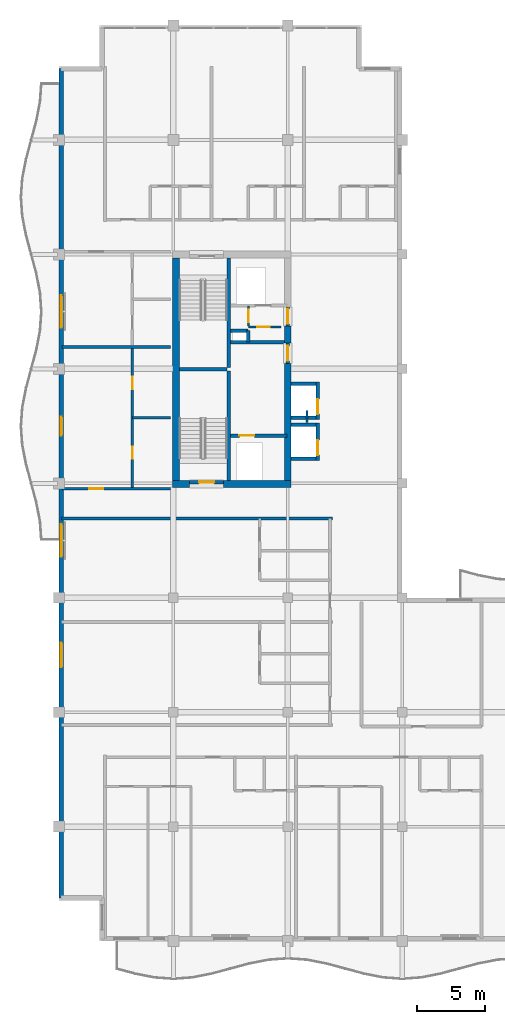
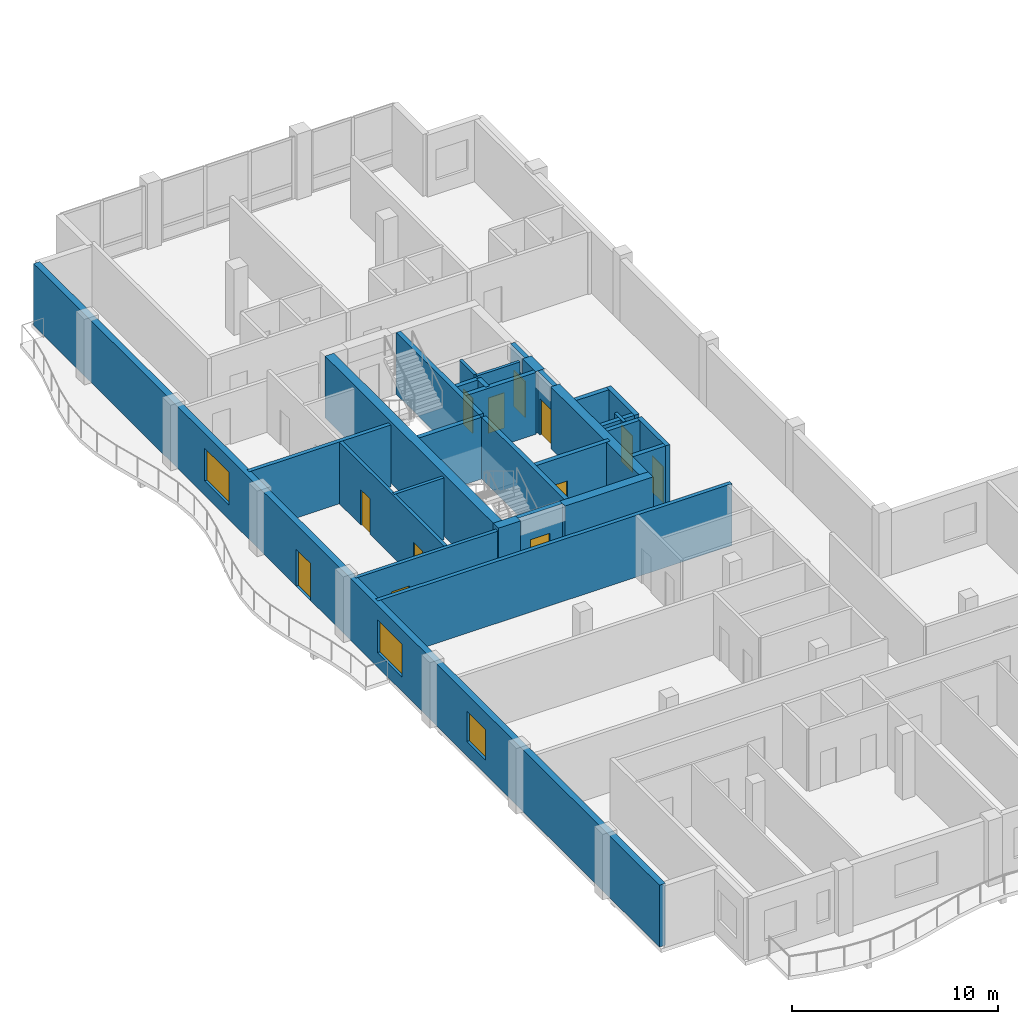
# One storey, part 10 of 17: 30 walls, 12 doors, 3 windows, 15 openings.
"""IFC4 building model written with IfcOpenShell, lengths in metres."""

from ifc_helpers import new_model, si_unit, direction, frame, frame_2d, origin, place, context, subcontext, project, spatial, rectangle, extrude, material, layer, layer_set, type_object, element, fill, save


model = new_model("IFC4")

# Units and contexts
model_context = context("Model", 3, precision=1e-05, world=origin(), true_north=direction((0.0, 1.0)))
body_context = subcontext(model_context, "Body", "Model", "MODEL_VIEW")
ifc_project = project(units=[si_unit("LENGTHUNIT", "METRE"), si_unit("AREAUNIT", "SQUARE_METRE"), si_unit("VOLUMEUNIT", "CUBIC_METRE"), si_unit("PLANEANGLEUNIT", "RADIAN"), si_unit("MASSUNIT", "GRAM", prefix="KILO")], contexts=[model_context])

# Site, building, storey
site_placement = place(None, origin())
site = spatial("IfcSite", under=ifc_project, at=site_placement, CompositionType="ELEMENT")
building_placement = place(site_placement, origin())
building = spatial("IfcBuilding", under=site, at=building_placement, Name="Koriwani Terraces Tower", CompositionType="ELEMENT")
storey_placement = place(building_placement, frame((0.0, 0.0, 332.0)))
storey = spatial("IfcBuildingStorey", under=building, at=storey_placement, Name="L82", CompositionType="ELEMENT", Elevation=332.0)

# Walls
ifc_material_1 = material(Name="Concrete C50/60", Category="concrete")
ifc_layer_1 = layer(ifc_material_1, 0.5, Name="Concrete C50/60")
ifc_layer_set_1 = layer_set([ifc_layer_1], Name="Concrete C50/60")
wall_type_1 = type_object("IfcWallType", Name="WALL_CORE_RC_500", PredefinedType="SHEAR", material=ifc_layer_set_1)
wall_1_placement = place(storey_placement, frame((16.75, 41.949951171875, 0.0), z_axis=(0.0, 0.0, 1.0), x_axis=(1.0, 0.0, 0.0)))
element("IfcWall", 1, at=wall_1_placement, inside=storey, type_object=wall_type_1, Name="L82 West Split Core Shear Wall S1", PredefinedType="SHEAR", context=body_context, shape_type="SweptSolid", body=[
    extrude(rectangle(XDim=1.25, YDim=0.5, at=frame_2d((0.625, 0.0))), origin(), (0.0, 0.0, 1.0), 3.669921875),
])
wall_2_placement = place(storey_placement, frame((20.5, 41.949951171875, 0.0), z_axis=(0.0, 0.0, 1.0), x_axis=(1.0, 0.0, 0.0)))
element("IfcWall", 2, at=wall_2_placement, inside=storey, type_object=wall_type_1, Name="L82 West Split Core Shear Wall S2", PredefinedType="SHEAR", context=body_context, shape_type="SweptSolid", body=[
    extrude(rectangle(XDim=4.949951171875, YDim=0.5, at=frame_2d((2.47509765625, 0.0))), origin(), (0.0, 0.0, 1.0), 3.669921875),
])
wall_3_placement = place(storey_placement, frame((17.0, 42.199951171875, 0.0), z_axis=(0.0, 0.0, 1.0), x_axis=(0.0, 1.0, 0.0)))
element("IfcWall", 3, at=wall_3_placement, inside=storey, type_object=wall_type_1, Name="L82 West Split Core Shear Wall W1", PredefinedType="SHEAR", context=body_context, shape_type="SweptSolid", body=[
    extrude(rectangle(XDim=16.35009765625, YDim=0.5, at=frame_2d((8.175048828125, 0.0))), origin(), (0.0, 0.0, 1.0), 3.669921875),
])
wall_4_placement = place(storey_placement, frame((25.199951171875, 42.199951171875, 0.0), z_axis=(0.0, 0.0, 1.0), x_axis=(0.0, 1.0, 0.0)))
element("IfcWall", 4, at=wall_4_placement, inside=storey, type_object=wall_type_1, Name="L82 West Split Core Shear Wall E1", PredefinedType="SHEAR", context=body_context, shape_type="SweptSolid", body=[
    extrude(rectangle(XDim=8.60009765625, YDim=0.5, at=frame_2d((4.300048828125, 0.0))), origin(), (0.0, 0.0, 1.0), 3.669921875),
])
wall_5_placement = place(storey_placement, frame((25.199951171875, 52.280029296875, 0.0), z_axis=(0.0, 0.0, 1.0), x_axis=(0.0, 1.0, 0.0)))
element("IfcWall", 5, at=wall_5_placement, inside=storey, type_object=wall_type_1, Name="L82 West Split Core Shear Wall E2", PredefinedType="SHEAR", context=body_context, shape_type="SweptSolid", body=[
    extrude(rectangle(XDim=1.27001953125, YDim=0.5, at=frame_2d((0.635009765625, 0.0))), origin(), (0.0, 0.0, 1.0), 3.669921875),
])

# Wall, opening, door
ifc_material_2 = material(Name="Autoclaved Cellular Concrete Blockwork", Category="masonry")
ifc_layer_2 = layer(ifc_material_2, 0.199951171875, Name="Autoclaved Cellular Concrete Blockwork")
ifc_layer_set_2 = layer_set([ifc_layer_2], Name="Autoclaved Cellular Concrete Blockwork")
wall_type_2 = type_object("IfcWallType", Name="WALL_CORRIDOR_200", PredefinedType="PARTITIONING", material=ifc_layer_set_2)
wall_6_placement = place(storey_placement, frame((8.64990234375, 41.60009765625, 0.0), z_axis=(0.0, 0.0, 1.0), x_axis=(1.0, 0.0, 0.0)))
wall_6 = element("IfcWall", 6, at=wall_6_placement, inside=storey, type_object=wall_type_2, Name="L82 Interior Wall WRZ4-WS-L82", PredefinedType="PARTITIONING", context=body_context, shape_type="SweptSolid", body=[
    extrude(rectangle(XDim=7.9501953125, YDim=0.199951171875, at=frame_2d((3.97509765625, 0.0))), origin(), (0.0, 0.0, 1.0), 3.669921875),
])
opening_1_placement = place(wall_6_placement, frame((2.0, 0.0, 0.0)))
opening_1 = element("IfcOpeningElement", 7, at=opening_1_placement, cuts=wall_6, Name="Opening D-05", PredefinedType="OPENING", context=body_context, shape_type="SweptSolid", body=[
    extrude(rectangle(XDim=1.0, YDim=2.14990234375, at=frame_2d((0.5, 1.074951171875))), frame((0.0, 0.10986328125, 0.0), z_axis=(0.0, -1.0, 0.0), x_axis=(1.0, 0.0, 0.0)), (0.0, 0.0, 1.0), 0.219970703125),
])
ifc_material_3 = material(Name="Architectural Oak Fire Door", Category="wood")
door_type_1 = type_object("IfcDoorType", Name="DOOR_SUITE_ENTRY_1000X2150", OperationType="NOTDEFINED", PredefinedType="DOOR", material=ifc_material_3)
door_1_placement = place(opening_1_placement, origin())
door_1 = element("IfcDoor", 8, at=door_1_placement, inside=storey, type_object=door_type_1, Name="Apartment 82RW1 Entrance Door", OperationType="SINGLE_SWING_LEFT", OverallHeight=2.14990234375, OverallWidth=1.0, PredefinedType="DOOR", context=body_context, shape_type="SweptSolid", body=[
    extrude(rectangle(XDim=1.0, YDim=2.14990234375, at=frame_2d((0.5, 1.074951171875))), frame((0.0, 0.02490234375, 0.0), z_axis=(0.0, -1.0, 0.0), x_axis=(1.0, 0.0, 0.0)), (0.0, 0.0, 1.0), 0.050048828125),
])
fill(opening_1, door_1)

# Walls
ifc_layer_3 = layer(ifc_material_2, 0.219970703125, Name="Autoclaved Cellular Concrete Blockwork")
ifc_layer_set_3 = layer_set([ifc_layer_3], Name="Autoclaved Cellular Concrete Blockwork")
wall_type_3 = type_object("IfcWallType", Name="WALL_DEMISING_220", PredefinedType="PARTITIONING", material=ifc_layer_set_3)
wall_7_placement = place(storey_placement, frame((8.64990234375, 52.0, 0.0), z_axis=(0.0, 0.0, 1.0), x_axis=(1.0, 0.0, 0.0)))
element("IfcWall", 9, at=wall_7_placement, inside=storey, type_object=wall_type_3, Name="L82 Interior Wall WRZ4-WM-L82", PredefinedType="PARTITIONING", context=body_context, shape_type="SweptSolid", body=[
    extrude(rectangle(XDim=7.9501953125, YDim=0.219970703125, at=frame_2d((3.97509765625, 0.0))), origin(), (0.0, 0.0, 1.0), 3.669921875),
])
wall_8_placement = place(storey_placement, frame((8.60009765625, 39.39990234375, 0.0), z_axis=(0.0, 0.0, 1.0), x_axis=(1.0, 0.0, 0.0)))
element("IfcWall", 10, at=wall_8_placement, inside=storey, type_object=wall_type_3, Name="L82 Interior Wall WRDEME-L82-NE", PredefinedType="PARTITIONING", context=body_context, shape_type="SweptSolid", body=[
    extrude(rectangle(XDim=19.8798828125, YDim=0.219970703125, at=frame_2d((9.93994140625, 0.0))), origin(), (0.0, 0.0, 1.0), 3.669921875),
])

# Wall, openings, door, windows
ifc_layer_4 = layer(ifc_material_1, 0.35009765625, Name="Concrete C50/60")
ifc_layer_set_4 = layer_set([ifc_layer_4], Name="Concrete C50/60")
wall_type_4 = type_object("IfcWallType", Name="WALL_EXT_BRUTALIST_350", PredefinedType="STANDARD", material=ifc_layer_set_4)
wall_9_placement = place(storey_placement, frame((8.574951171875, 11.574951171875, 0.0), z_axis=(0.0, 0.0, 1.0), x_axis=(0.0, 1.0, 0.0)))
wall_9 = element("IfcWall", 11, at=wall_9_placement, inside=storey, type_object=wall_type_4, Name="L82 Fair-Faced Brutalist Exterior Wall (W)", PredefinedType="STANDARD", context=body_context, shape_type="SweptSolid", body=[
    extrude(rectangle(XDim=60.85009765625, YDim=0.35009765625, at=frame_2d((30.425048828125, 0.0))), origin(), (0.0, 0.0, 1.0), 3.669921875),
])
opening_2_placement = place(wall_9_placement, frame((33.925048828125, 0.0, 0.0)))
opening_2 = element("IfcOpeningElement", 12, at=opening_2_placement, cuts=wall_9, Name="Opening D-09", PredefinedType="OPENING", context=body_context, shape_type="SweptSolid", body=[
    extrude(rectangle(XDim=1.39990234375, YDim=2.199951171875, at=frame_2d((0.699951171875, 1.10009765625))), frame((0.0, 0.18505859375, 0.0), z_axis=(0.0, -1.0, 0.0), x_axis=(1.0, 0.0, 0.0)), (0.0, 0.0, 1.0), 0.3701171875),
])
opening_3_placement = place(wall_9_placement, frame((16.925048828125, 0.0, 0.85009765625)))
opening_3 = element("IfcOpeningElement", 13, at=opening_3_placement, cuts=wall_9, Name="Opening W-04", PredefinedType="OPENING", context=body_context, shape_type="SweptSolid", body=[
    extrude(rectangle(XDim=1.800048828125, YDim=1.800048828125, at=frame_2d((0.89990234375, 0.89990234375))), frame((0.0, 0.18505859375, 0.0), z_axis=(0.0, -1.0, 0.0), x_axis=(1.0, 0.0, 0.0)), (0.0, 0.0, 1.0), 0.3701171875),
])
opening_4_placement = place(wall_9_placement, frame((25.02490234375, 0.0, 0.85009765625)))
opening_4 = element("IfcOpeningElement", 14, at=opening_4_placement, cuts=wall_9, Name="Opening W-03", PredefinedType="OPENING", context=body_context, shape_type="SweptSolid", body=[
    extrude(rectangle(XDim=2.39990234375, YDim=1.949951171875, at=frame_2d((1.199951171875, 0.97509765625))), frame((0.0, 0.18505859375, 0.0), z_axis=(0.0, -1.0, 0.0), x_axis=(1.0, 0.0, 0.0)), (0.0, 0.0, 1.0), 0.3701171875),
])
opening_5_placement = place(wall_9_placement, frame((41.824951171875, 0.0, 0.85009765625)))
opening_5 = element("IfcOpeningElement", 15, at=opening_5_placement, cuts=wall_9, Name="Opening W-03", PredefinedType="OPENING", context=body_context, shape_type="SweptSolid", body=[
    extrude(rectangle(XDim=2.39990234375, YDim=1.949951171875, at=frame_2d((1.199951171875, 0.97509765625))), frame((0.0, 0.18505859375, 0.0), z_axis=(0.0, -1.0, 0.0), x_axis=(1.0, 0.0, 0.0)), (0.0, 0.0, 1.0), 0.3701171875),
])
ifc_material_4 = material(Name="Anodised Bronze Aluminium", Category="aluminium")
door_type_2 = type_object("IfcDoorType", Name="DOOR_BALCONY_GLAZED_1400X2200", OperationType="NOTDEFINED", PredefinedType="DOOR", material=ifc_material_4)
door_2_placement = place(opening_2_placement, origin())
door_2 = element("IfcDoor", 16, at=door_2_placement, inside=storey, type_object=door_type_2, Name="L82 West Balcony Glazed Door", OperationType="SINGLE_SWING_LEFT", OverallHeight=2.199951171875, OverallWidth=1.39990234375, PredefinedType="DOOR", context=body_context, shape_type="SweptSolid", body=[
    extrude(rectangle(XDim=1.39990234375, YDim=2.199951171875, at=frame_2d((0.699951171875, 1.10009765625))), frame((0.0, 0.02490234375, 0.0), z_axis=(0.0, -1.0, 0.0), x_axis=(1.0, 0.0, 0.0)), (0.0, 0.0, 1.0), 0.050048828125),
])
fill(opening_2, door_2)
ifc_material_5 = material(Name="Tempered Laminated Low-E Glass", Category="glass")
window_type_1 = type_object("IfcWindowType", Name="WIN_RES_BED_1800X1800", PartitioningType="DOUBLE_PANEL_VERTICAL", PredefinedType="WINDOW", material=ifc_material_5)
window_1_placement = place(opening_3_placement, origin())
window_1 = element("IfcWindow", 17, at=window_1_placement, inside=storey, type_object=window_type_1, Name="L82 Exterior Window (W-6)", OverallHeight=1.800048828125, OverallWidth=1.800048828125, PartitioningType="SINGLE_PANEL", PredefinedType="WINDOW", context=body_context, shape_type="SweptSolid", body=[
    extrude(rectangle(XDim=1.800048828125, YDim=1.800048828125, at=frame_2d((0.89990234375, 0.89990234375))), frame((0.0, 0.030029296875, 0.0), z_axis=(0.0, -1.0, 0.0), x_axis=(1.0, 0.0, 0.0)), (0.0, 0.0, 1.0), 0.06005859375),
])
fill(opening_3, window_1)
window_type_2 = type_object("IfcWindowType", Name="WIN_RES_LIVING_2400X1950", PartitioningType="DOUBLE_PANEL_VERTICAL", PredefinedType="WINDOW", material=ifc_material_5)
window_2_placement = place(opening_4_placement, origin())
window_2 = element("IfcWindow", 18, at=window_2_placement, inside=storey, type_object=window_type_2, Name="L82 Exterior Window (W-9)", OverallHeight=1.949951171875, OverallWidth=2.39990234375, PartitioningType="SINGLE_PANEL", PredefinedType="WINDOW", context=body_context, shape_type="SweptSolid", body=[
    extrude(rectangle(XDim=2.39990234375, YDim=1.949951171875, at=frame_2d((1.199951171875, 0.97509765625))), frame((0.0, 0.030029296875, 0.0), z_axis=(0.0, -1.0, 0.0), x_axis=(1.0, 0.0, 0.0)), (0.0, 0.0, 1.0), 0.06005859375),
])
fill(opening_4, window_2)
window_3_placement = place(opening_5_placement, origin())
window_3 = element("IfcWindow", 19, at=window_3_placement, inside=storey, type_object=window_type_2, Name="L82 Exterior Window (W-15)", OverallHeight=1.949951171875, OverallWidth=2.39990234375, PartitioningType="SINGLE_PANEL", PredefinedType="WINDOW", context=body_context, shape_type="SweptSolid", body=[
    extrude(rectangle(XDim=2.39990234375, YDim=1.949951171875, at=frame_2d((1.199951171875, 0.97509765625))), frame((0.0, 0.030029296875, 0.0), z_axis=(0.0, -1.0, 0.0), x_axis=(1.0, 0.0, 0.0)), (0.0, 0.0, 1.0), 0.06005859375),
])
fill(opening_5, window_3)

# Wall, openings, doors
ifc_material_6 = material(Name="Fire-Rated Acoustic Gypsum Partition", Category="masonry")
ifc_layer_5 = layer(ifc_material_6, 0.179931640625, Name="Fire-Rated Acoustic Gypsum Partition")
ifc_layer_set_5 = layer_set([ifc_layer_5], Name="Fire-Rated Acoustic Gypsum Partition")
wall_type_5 = type_object("IfcWallType", Name="WALL_PLUMBING_180", PredefinedType="PLUMBINGWALL", material=ifc_layer_set_5)
wall_10_placement = place(storey_placement, frame((13.800048828125, 41.699951171875, 0.0), z_axis=(0.0, 0.0, 1.0), x_axis=(0.0, 1.0, 0.0)))
wall_10 = element("IfcWall", 20, at=wall_10_placement, inside=storey, type_object=wall_type_5, Name="L82 Interior Wall WRZ4-RW1-PB-L82", PredefinedType="PLUMBINGWALL", context=body_context, shape_type="SweptSolid", body=[
    extrude(rectangle(XDim=10.199951171875, YDim=0.179931640625, at=frame_2d((5.10009765625, 0.0))), origin(), (0.0, 0.0, 1.0), 3.669921875),
])
opening_6_placement = place(wall_10_placement, frame((2.10009765625, 0.0, 0.0)))
opening_6 = element("IfcOpeningElement", 21, at=opening_6_placement, cuts=wall_10, Name="Opening D-07", PredefinedType="OPENING", context=body_context, shape_type="SweptSolid", body=[
    extrude(rectangle(XDim=0.89990234375, YDim=2.10009765625, at=frame_2d((0.449951171875, 1.050048828125))), frame((0.0, 0.10009765625, 0.0), z_axis=(0.0, -1.0, 0.0), x_axis=(1.0, 0.0, 0.0)), (0.0, 0.0, 1.0), 0.199951171875),
])
opening_7_placement = place(wall_10_placement, frame((7.18994140625, 0.0, 0.0)))
opening_7 = element("IfcOpeningElement", 22, at=opening_7_placement, cuts=wall_10, Name="Opening D-06", PredefinedType="OPENING", context=body_context, shape_type="SweptSolid", body=[
    extrude(rectangle(XDim=0.919921875, YDim=2.10009765625, at=frame_2d((0.4599609375, 1.050048828125))), frame((0.0, 0.10009765625, 0.0), z_axis=(0.0, -1.0, 0.0), x_axis=(1.0, 0.0, 0.0)), (0.0, 0.0, 1.0), 0.199951171875),
])
door_type_3 = type_object("IfcDoorType", Name="DOOR_BATH_INT_900X2100", OperationType="NOTDEFINED", PredefinedType="DOOR", material=ifc_material_3)
door_3_placement = place(opening_6_placement, origin())
door_3 = element("IfcDoor", 23, at=door_3_placement, inside=storey, type_object=door_type_3, Name="Apartment 82RW1 Bathroom Door", OperationType="SINGLE_SWING_LEFT", OverallHeight=2.10009765625, OverallWidth=0.89990234375, PredefinedType="DOOR", context=body_context, shape_type="SweptSolid", body=[
    extrude(rectangle(XDim=0.89990234375, YDim=2.10009765625, at=frame_2d((0.449951171875, 1.050048828125))), frame((0.0, 0.02490234375, 0.0), z_axis=(0.0, -1.0, 0.0), x_axis=(1.0, 0.0, 0.0)), (0.0, 0.0, 1.0), 0.050048828125),
])
fill(opening_6, door_3)
door_type_4 = type_object("IfcDoorType", Name="DOOR_ROOM_INT_920X2100", OperationType="NOTDEFINED", PredefinedType="DOOR", material=ifc_material_3)
door_4_placement = place(opening_7_placement, origin())
door_4 = element("IfcDoor", 24, at=door_4_placement, inside=storey, type_object=door_type_4, Name="Apartment 82RW1 Kitchen Door", OperationType="SINGLE_SWING_RIGHT", OverallHeight=2.10009765625, OverallWidth=0.919921875, PredefinedType="DOOR", context=body_context, shape_type="SweptSolid", body=[
    extrude(rectangle(XDim=0.919921875, YDim=2.10009765625, at=frame_2d((0.4599609375, 1.050048828125))), frame((0.0, 0.02490234375, 0.0), z_axis=(0.0, -1.0, 0.0), x_axis=(1.0, 0.0, 0.0)), (0.0, 0.0, 1.0), 0.050048828125),
])
fill(opening_7, door_4)

# Walls
wall_11_placement = place(storey_placement, frame((13.800048828125, 46.800048828125, 0.0), z_axis=(0.0, 0.0, 1.0), x_axis=(1.0, 0.0, 0.0)))
element("IfcWall", 25, at=wall_11_placement, inside=storey, type_object=wall_type_5, Name="L82 Interior Wall WRZ4-RW1-P2-L82", PredefinedType="PLUMBINGWALL", context=body_context, shape_type="SweptSolid", body=[
    extrude(rectangle(XDim=2.800048828125, YDim=0.179931640625, at=frame_2d((1.39990234375, 0.0))), origin(), (0.0, 0.0, 1.0), 3.669921875),
])
ifc_material_7 = material(Name="Concrete C40/50", Category="concrete")
ifc_layer_6 = layer(ifc_material_7, 0.25, Name="Concrete C40/50")
ifc_layer_set_6 = layer_set([ifc_layer_6], Name="Concrete C40/50")
wall_type_6 = type_object("IfcWallType", Name="WALL_SHAFT_RATED_250", PredefinedType="SOLIDWALL", material=ifc_layer_set_6)
for number, where, z_axis, x_axis, name in (
    (26, (20.875, 42.199951171875, 0.0), (0.0, 0.0, 1.0), (0.0, 1.0, 0.0), "L82 West Split Core Web Wall MID1"),
    (27, (20.875, 50.5, 0.0), (0.0, 0.0, 1.0), (0.0, 1.0, 0.0), "L82 West Split Core Web Wall MID2"),
):
    element("IfcWall", number, at=place(storey_placement, frame(where, z_axis=z_axis, x_axis=x_axis)), inside=storey, type_object=wall_type_6, Name=name, PredefinedType="SOLIDWALL", context=body_context, shape_type="SweptSolid", body=[
        extrude(rectangle(XDim=8.050048828125, YDim=0.25, at=frame_2d((4.02490234375, 0.0))), origin(), (0.0, 0.0, 1.0), 3.669921875),
    ])
wall_12_placement = place(storey_placement, frame((17.25, 50.375, 0.0), z_axis=(0.0, 0.0, 1.0), x_axis=(1.0, 0.0, 0.0)))
element("IfcWall", 28, at=wall_12_placement, inside=storey, type_object=wall_type_6, Name="L82 West Split Core Stair Dividing Wall", PredefinedType="SOLIDWALL", context=body_context, shape_type="SweptSolid", body=[
    extrude(rectangle(XDim=3.5, YDim=0.25, at=frame_2d((1.75, 0.0))), origin(), (0.0, 0.0, 1.0), 3.669921875),
])

# Wall, opening, door
wall_13_placement = place(storey_placement, frame((18.0, 42.074951171875, 0.0), z_axis=(0.0, 0.0, 1.0), x_axis=(1.0, 0.0, 0.0)))
wall_13 = element("IfcWall", 29, at=wall_13_placement, inside=storey, type_object=wall_type_6, Name="L82 Interior Wall WIN-CW-L82-STS", PredefinedType="SOLIDWALL", context=body_context, shape_type="SweptSolid", body=[
    extrude(rectangle(XDim=2.5, YDim=0.25, at=frame_2d((1.25, 0.0))), origin(), (0.0, 0.0, 1.0), 3.669921875),
])
opening_8_placement = place(wall_13_placement, frame((0.699951171875, 0.0, 0.0)))
opening_8 = element("IfcOpeningElement", 30, at=opening_8_placement, cuts=wall_13, Name="Opening D-03", PredefinedType="OPENING", context=body_context, shape_type="SweptSolid", body=[
    extrude(rectangle(XDim=1.10009765625, YDim=2.14990234375, at=frame_2d((0.550048828125, 1.074951171875))), frame((0.0, 0.135009765625, 0.0), z_axis=(0.0, -1.0, 0.0), x_axis=(1.0, 0.0, 0.0)), (0.0, 0.0, 1.0), 0.27001953125),
])
ifc_material_8 = material(Name="Steel ASTM A572 Grade 50", Category="steel")
door_type_5 = type_object("IfcDoorType", Name="DOOR_STAIR_FIRE_1100X2150", OperationType="NOTDEFINED", PredefinedType="DOOR", material=ifc_material_8)
door_5_placement = place(opening_8_placement, origin())
door_5 = element("IfcDoor", 31, at=door_5_placement, inside=storey, type_object=door_type_5, Name="L82 Exit Stair ST-W1 Door", OperationType="SINGLE_SWING_RIGHT", OverallHeight=2.14990234375, OverallWidth=1.10009765625, PredefinedType="DOOR", context=body_context, shape_type="SweptSolid", body=[
    extrude(rectangle(XDim=1.10009765625, YDim=2.14990234375, at=frame_2d((0.550048828125, 1.074951171875))), frame((0.0, 0.02490234375, 0.0), z_axis=(0.0, -1.0, 0.0), x_axis=(1.0, 0.0, 0.0)), (0.0, 0.0, 1.0), 0.050048828125),
])
fill(opening_8, door_5)

wall_14_placement = place(storey_placement, frame((21.0, 45.5, 0.0), z_axis=(0.0, 0.0, 1.0), x_axis=(1.0, 0.0, 0.0)))
wall_14 = element("IfcWall", 32, at=wall_14_placement, inside=storey, type_object=wall_type_6, Name="L82 Interior Wall WIN-CW-L82-FE", PredefinedType="SOLIDWALL", context=body_context, shape_type="SweptSolid", body=[
    extrude(rectangle(XDim=4.14990234375, YDim=0.25, at=frame_2d((2.074951171875, 0.0))), origin(), (0.0, 0.0, 1.0), 3.669921875),
])
opening_9_placement = place(wall_14_placement, frame((0.64990234375, 0.0, 0.0)))
opening_9 = element("IfcOpeningElement", 33, at=opening_9_placement, cuts=wall_14, Name="Opening LD-01", PredefinedType="OPENING", context=body_context, shape_type="SweptSolid", body=[
    extrude(rectangle(XDim=1.10009765625, YDim=2.14990234375, at=frame_2d((0.550048828125, 1.074951171875))), frame((0.0, 0.135009765625, 0.0), z_axis=(0.0, -1.0, 0.0), x_axis=(1.0, 0.0, 0.0)), (0.0, 0.0, 1.0), 0.27001953125),
])
door_type_6 = type_object("IfcDoorType", Name="DOOR_LIFT_LANDING_1100X2200", OperationType="NOTDEFINED", PredefinedType="DOOR", material=ifc_material_8)
door_6_placement = place(opening_9_placement, origin())
door_6 = element("IfcDoor", 34, at=door_6_placement, inside=storey, type_object=door_type_6, Name="L82 Firefighting Lift FE-01 Landing Door", OperationType="SLIDING_TO_LEFT", OverallHeight=2.14990234375, OverallWidth=1.10009765625, PredefinedType="DOOR", context=body_context, shape_type="SweptSolid", body=[
    extrude(rectangle(XDim=1.10009765625, YDim=2.14990234375, at=frame_2d((0.550048828125, 1.074951171875))), frame((0.0, 0.02490234375, 0.0), z_axis=(0.0, -1.0, 0.0), x_axis=(1.0, 0.0, 0.0)), (0.0, 0.0, 1.0), 0.050048828125),
])
fill(opening_9, door_6)

wall_15_placement = place(storey_placement, frame((25.199951171875, 50.800048828125, 0.0), z_axis=(0.0, 0.0, 1.0), x_axis=(0.0, 1.0, 0.0)))
wall_15 = element("IfcWall", 35, at=wall_15_placement, inside=storey, type_object=wall_type_6, Name="L82 Interior Wall WIN-CW-L82-EP", PredefinedType="SOLIDWALL", context=body_context, shape_type="SweptSolid", body=[
    extrude(rectangle(XDim=1.47998046875, YDim=0.25, at=frame_2d((0.739990234375, 0.0))), origin(), (0.0, 0.0, 1.0), 3.669921875),
])
opening_10_placement = place(wall_15_placement, frame((0.179931640625, 0.0, 0.0)))
opening_10 = element("IfcOpeningElement", 36, at=opening_10_placement, cuts=wall_15, Name="Opening D-03", PredefinedType="OPENING", context=body_context, shape_type="SweptSolid", body=[
    extrude(rectangle(XDim=1.10009765625, YDim=2.14990234375, at=frame_2d((0.550048828125, 1.074951171875))), frame((0.0, 0.135009765625, 0.0), z_axis=(0.0, -1.0, 0.0), x_axis=(1.0, 0.0, 0.0)), (0.0, 0.0, 1.0), 0.27001953125),
])
door_7_placement = place(opening_10_placement, origin())
door_7 = element("IfcDoor", 37, at=door_7_placement, inside=storey, type_object=door_type_5, Name="L82 West Firefighting Lobby Door", OperationType="SINGLE_SWING_RIGHT", OverallHeight=2.14990234375, OverallWidth=1.10009765625, PredefinedType="DOOR", context=body_context, shape_type="SweptSolid", body=[
    extrude(rectangle(XDim=1.10009765625, YDim=2.14990234375, at=frame_2d((0.550048828125, 1.074951171875))), frame((0.0, 0.02490234375, 0.0), z_axis=(0.0, -1.0, 0.0), x_axis=(1.0, 0.0, 0.0)), (0.0, 0.0, 1.0), 0.050048828125),
])
fill(opening_10, door_7)

# Wall
wall_16_placement = place(storey_placement, frame((21.0, 52.340087890625, 0.0), z_axis=(0.0, 0.0, 1.0), x_axis=(1.0, 0.0, 0.0)))
element("IfcWall", 38, at=wall_16_placement, inside=storey, type_object=wall_type_6, Name="L82 Interior Wall WIN-CW-L82-FFN", PredefinedType="SOLIDWALL", context=body_context, shape_type="SweptSolid", body=[
    extrude(rectangle(XDim=3.949951171875, YDim=0.25, at=frame_2d((1.97509765625, 0.0))), origin(), (0.0, 0.0, 1.0), 3.669921875),
])

# Wall, opening, door
wall_17_placement = place(storey_placement, frame((25.199951171875, 53.550048828125, 0.0), z_axis=(0.0, 0.0, 1.0), x_axis=(0.0, 1.0, 0.0)))
wall_17 = element("IfcWall", 39, at=wall_17_placement, inside=storey, type_object=wall_type_6, Name="L82 Interior Wall WIN-CW-L82-EP2", PredefinedType="SOLIDWALL", context=body_context, shape_type="SweptSolid", body=[
    extrude(rectangle(XDim=1.39990234375, YDim=0.25, at=frame_2d((0.699951171875, 0.0))), origin(), (0.0, 0.0, 1.0), 3.669921875),
])
opening_11_placement = place(wall_17_placement, frame((0.14990234375, 0.0, 0.0)))
opening_11 = element("IfcOpeningElement", 40, at=opening_11_placement, cuts=wall_17, Name="Opening D-03", PredefinedType="OPENING", context=body_context, shape_type="SweptSolid", body=[
    extrude(rectangle(XDim=1.10009765625, YDim=2.14990234375, at=frame_2d((0.550048828125, 1.074951171875))), frame((0.0, 0.135009765625, 0.0), z_axis=(0.0, -1.0, 0.0), x_axis=(1.0, 0.0, 0.0)), (0.0, 0.0, 1.0), 0.27001953125),
])
door_8_placement = place(opening_11_placement, origin())
door_8 = element("IfcDoor", 41, at=door_8_placement, inside=storey, type_object=door_type_5, Name="L82 West Goods Lift Lobby Door", OperationType="SINGLE_SWING_LEFT", OverallHeight=2.14990234375, OverallWidth=1.10009765625, PredefinedType="DOOR", context=body_context, shape_type="SweptSolid", body=[
    extrude(rectangle(XDim=1.10009765625, YDim=2.14990234375, at=frame_2d((0.550048828125, 1.074951171875))), frame((0.0, 0.02490234375, 0.0), z_axis=(0.0, -1.0, 0.0), x_axis=(1.0, 0.0, 0.0)), (0.0, 0.0, 1.0), 0.050048828125),
])
fill(opening_11, door_8)

# Walls
wall_18_placement = place(storey_placement, frame((21.0, 53.199951171875, 0.0), z_axis=(0.0, 0.0, 1.0), x_axis=(1.0, 0.0, 0.0)))
element("IfcWall", 42, at=wall_18_placement, inside=storey, type_object=wall_type_6, Name="L82 Interior Wall WIN-CW-L82-RS1", PredefinedType="SOLIDWALL", context=body_context, shape_type="SweptSolid", body=[
    extrude(rectangle(XDim=1.300048828125, YDim=0.25, at=frame_2d((0.64990234375, 0.0))), origin(), (0.0, 0.0, 1.0), 3.669921875),
])
wall_19_placement = place(storey_placement, frame((22.300048828125, 52.360107421875, 0.0), z_axis=(0.0, 0.0, 1.0), x_axis=(0.0, 1.0, 0.0)))
element("IfcWall", 43, at=wall_19_placement, inside=storey, type_object=wall_type_6, Name="L82 Interior Wall WIN-CW-L82-RS2", PredefinedType="SOLIDWALL", context=body_context, shape_type="SweptSolid", body=[
    extrude(rectangle(XDim=0.83984375, YDim=0.25, at=frame_2d((0.419921875, 0.0))), origin(), (0.0, 0.0, 1.0), 3.669921875),
])

# Wall, opening, door
wall_20_placement = place(storey_placement, frame((27.39990234375, 43.675048828125, 0.0), z_axis=(0.0, 0.0, 1.0), x_axis=(0.0, 1.0, 0.0)))
wall_20 = element("IfcWall", 44, at=wall_20_placement, inside=storey, type_object=wall_type_6, Name="L82 Interior Wall WIN-LF-PE-H1-L82-F", PredefinedType="SOLIDWALL", context=body_context, shape_type="SweptSolid", body=[
    extrude(rectangle(XDim=2.75, YDim=0.25, at=frame_2d((1.375, 0.0))), origin(), (0.0, 0.0, 1.0), 3.669921875),
])
opening_12_placement = place(wall_20_placement, frame((0.39990234375, 0.0, 0.0)))
opening_12 = element("IfcOpeningElement", 45, at=opening_12_placement, cuts=wall_20, Name="Opening LD-01", PredefinedType="OPENING", context=body_context, shape_type="SweptSolid", body=[
    extrude(rectangle(XDim=1.10009765625, YDim=2.14990234375, at=frame_2d((0.550048828125, 1.074951171875))), frame((0.0, 0.135009765625, 0.0), z_axis=(0.0, -1.0, 0.0), x_axis=(1.0, 0.0, 0.0)), (0.0, 0.0, 1.0), 0.27001953125),
])
door_9_placement = place(opening_12_placement, origin())
door_9 = element("IfcDoor", 46, at=door_9_placement, inside=storey, type_object=door_type_6, Name="L82 Passenger Lift PE-H1 Landing Door", OperationType="SLIDING_TO_LEFT", OverallHeight=2.14990234375, OverallWidth=1.10009765625, PredefinedType="DOOR", context=body_context, shape_type="SweptSolid", body=[
    extrude(rectangle(XDim=1.10009765625, YDim=2.14990234375, at=frame_2d((0.550048828125, 1.074951171875))), frame((0.0, 0.02490234375, 0.0), z_axis=(0.0, -1.0, 0.0), x_axis=(1.0, 0.0, 0.0)), (0.0, 0.0, 1.0), 0.050048828125),
])
fill(opening_12, door_9)

# Walls
for number, where, z_axis, x_axis, name in (
    (47, (25.449951171875, 43.800048828125, 0.0), (0.0, 0.0, 1.0), (1.0, 0.0, 0.0), "L82 Interior Wall WIN-LF-PE-H1-L82-S"),
    (48, (25.449951171875, 46.300048828125, 0.0), (0.0, 0.0, 1.0), (1.0, 0.0, 0.0), "L82 Interior Wall WIN-LF-PE-H1-L82-N"),
):
    element("IfcWall", number, at=place(storey_placement, frame(where, z_axis=z_axis, x_axis=x_axis)), inside=storey, type_object=wall_type_6, Name=name, PredefinedType="SOLIDWALL", context=body_context, shape_type="SweptSolid", body=[
        extrude(rectangle(XDim=1.824951171875, YDim=0.25, at=frame_2d((0.91259765625, 0.0))), origin(), (0.0, 0.0, 1.0), 3.669921875),
    ])

# Wall, opening, door
wall_21_placement = place(storey_placement, frame((27.39990234375, 46.675048828125, 0.0), z_axis=(0.0, 0.0, 1.0), x_axis=(0.0, 1.0, 0.0)))
wall_21 = element("IfcWall", 49, at=wall_21_placement, inside=storey, type_object=wall_type_6, Name="L82 Interior Wall WIN-LF-PE-H2-L82-F", PredefinedType="SOLIDWALL", context=body_context, shape_type="SweptSolid", body=[
    extrude(rectangle(XDim=2.75, YDim=0.25, at=frame_2d((1.375, 0.0))), origin(), (0.0, 0.0, 1.0), 3.669921875),
])
opening_13_placement = place(wall_21_placement, frame((0.39990234375, 0.0, 0.0)))
opening_13 = element("IfcOpeningElement", 50, at=opening_13_placement, cuts=wall_21, Name="Opening LD-01", PredefinedType="OPENING", context=body_context, shape_type="SweptSolid", body=[
    extrude(rectangle(XDim=1.10009765625, YDim=2.14990234375, at=frame_2d((0.550048828125, 1.074951171875))), frame((0.0, 0.135009765625, 0.0), z_axis=(0.0, -1.0, 0.0), x_axis=(1.0, 0.0, 0.0)), (0.0, 0.0, 1.0), 0.27001953125),
])
door_10_placement = place(opening_13_placement, origin())
door_10 = element("IfcDoor", 51, at=door_10_placement, inside=storey, type_object=door_type_6, Name="L82 Passenger Lift PE-H2 Landing Door", OperationType="SLIDING_TO_LEFT", OverallHeight=2.14990234375, OverallWidth=1.10009765625, PredefinedType="DOOR", context=body_context, shape_type="SweptSolid", body=[
    extrude(rectangle(XDim=1.10009765625, YDim=2.14990234375, at=frame_2d((0.550048828125, 1.074951171875))), frame((0.0, 0.02490234375, 0.0), z_axis=(0.0, -1.0, 0.0), x_axis=(1.0, 0.0, 0.0)), (0.0, 0.0, 1.0), 0.050048828125),
])
fill(opening_13, door_10)

# Walls
for number, where, z_axis, x_axis, name in (
    (52, (25.449951171875, 46.800048828125, 0.0), (0.0, 0.0, 1.0), (1.0, 0.0, 0.0), "L82 Interior Wall WIN-LF-PE-H2-L82-S"),
    (53, (25.449951171875, 49.300048828125, 0.0), (0.0, 0.0, 1.0), (1.0, 0.0, 0.0), "L82 Interior Wall WIN-LF-PE-H2-L82-N"),
):
    element("IfcWall", number, at=place(storey_placement, frame(where, z_axis=z_axis, x_axis=x_axis)), inside=storey, type_object=wall_type_6, Name=name, PredefinedType="SOLIDWALL", context=body_context, shape_type="SweptSolid", body=[
        extrude(rectangle(XDim=1.824951171875, YDim=0.25, at=frame_2d((0.91259765625, 0.0))), origin(), (0.0, 0.0, 1.0), 3.669921875),
    ])

# Wall, opening, door
ifc_layer_7 = layer(ifc_material_6, 0.159912109375, Name="Fire-Rated Acoustic Gypsum Partition")
ifc_layer_set_7 = layer_set([ifc_layer_7], Name="Fire-Rated Acoustic Gypsum Partition")
wall_type_7 = type_object("IfcWallType", Name="WALL_SUITE_160", PredefinedType="PARTITIONING", material=ifc_layer_set_7)
wall_22_placement = place(storey_placement, frame((22.320068359375, 53.56005859375, 0.0), z_axis=(0.0, 0.0, 1.0), x_axis=(0.0, 1.0, 0.0)))
wall_22 = element("IfcWall", 54, at=wall_22_placement, inside=storey, type_object=wall_type_7, Name="L82 Interior Wall WIN-CW-L82-SV1A", PredefinedType="PARTITIONING", context=body_context, shape_type="SweptSolid", body=[
    extrude(rectangle(XDim=1.43994140625, YDim=0.159912109375, at=frame_2d((0.719970703125, 0.0))), origin(), (0.0, 0.0, 1.0), 3.669921875),
])
opening_14_placement = place(wall_22_placement, frame((0.260009765625, 0.0, 0.0)))
opening_14 = element("IfcOpeningElement", 55, at=opening_14_placement, cuts=wall_22, Name="Opening D-07", PredefinedType="OPENING", context=body_context, shape_type="SweptSolid", body=[
    extrude(rectangle(XDim=0.89990234375, YDim=2.10009765625, at=frame_2d((0.449951171875, 1.050048828125))), frame((0.0, 0.08984375, 0.0), z_axis=(0.0, -1.0, 0.0), x_axis=(1.0, 0.0, 0.0)), (0.0, 0.0, 1.0), 0.179931640625),
])
door_11_placement = place(opening_14_placement, origin())
door_11 = element("IfcDoor", 56, at=door_11_placement, inside=storey, type_object=door_type_3, Name="L82 West Telecom Room Door", OperationType="SINGLE_SWING_RIGHT", OverallHeight=2.10009765625, OverallWidth=0.89990234375, PredefinedType="DOOR", context=body_context, shape_type="SweptSolid", body=[
    extrude(rectangle(XDim=0.89990234375, YDim=2.10009765625, at=frame_2d((0.449951171875, 1.050048828125))), frame((0.0, 0.02490234375, 0.0), z_axis=(0.0, -1.0, 0.0), x_axis=(1.0, 0.0, 0.0)), (0.0, 0.0, 1.0), 0.050048828125),
])
fill(opening_14, door_11)

wall_23_placement = place(storey_placement, frame((22.320068359375, 53.4599609375, 0.0), z_axis=(0.0, 0.0, 1.0), x_axis=(1.0, 0.0, 0.0)))
wall_23 = element("IfcWall", 57, at=wall_23_placement, inside=storey, type_object=wall_type_7, Name="L82 Interior Wall WIN-CW-L82-SV1B", PredefinedType="PARTITIONING", context=body_context, shape_type="SweptSolid", body=[
    extrude(rectangle(XDim=2.39990234375, YDim=0.159912109375, at=frame_2d((1.199951171875, 0.0))), origin(), (0.0, 0.0, 1.0), 3.669921875),
])
opening_15_placement = place(wall_23_placement, frame((0.64990234375, 0.0, 0.0)))
opening_15 = element("IfcOpeningElement", 58, at=opening_15_placement, cuts=wall_23, Name="Opening D-07", PredefinedType="OPENING", context=body_context, shape_type="SweptSolid", body=[
    extrude(rectangle(XDim=0.89990234375, YDim=2.10009765625, at=frame_2d((0.449951171875, 1.050048828125))), frame((0.0, 0.08984375, 0.0), z_axis=(0.0, -1.0, 0.0), x_axis=(1.0, 0.0, 0.0)), (0.0, 0.0, 1.0), 0.179931640625),
])
door_12_placement = place(opening_15_placement, origin())
door_12 = element("IfcDoor", 59, at=door_12_placement, inside=storey, type_object=door_type_3, Name="L82 West Cleaners Closet Door", OperationType="SINGLE_SWING_LEFT", OverallHeight=2.10009765625, OverallWidth=0.89990234375, PredefinedType="DOOR", context=body_context, shape_type="SweptSolid", body=[
    extrude(rectangle(XDim=0.89990234375, YDim=2.10009765625, at=frame_2d((0.449951171875, 1.050048828125))), frame((0.0, 0.02490234375, 0.0), z_axis=(0.0, -1.0, 0.0), x_axis=(1.0, 0.0, 0.0)), (0.0, 0.0, 1.0), 0.050048828125),
])
fill(opening_15, door_12)

# Wall
wall_24_placement = place(storey_placement, frame((26.60009765625, 46.4599609375, 0.0), z_axis=(0.0, 0.0, 1.0), x_axis=(0.0, 1.0, 0.0)))
element("IfcWall", 60, at=wall_24_placement, inside=storey, type_object=wall_type_7, Name="L82 Interior Wall WIN-LF-PEH12-MID-L82", PredefinedType="PARTITIONING", context=body_context, shape_type="SweptSolid", body=[
    extrude(rectangle(XDim=0.880126953125, YDim=0.159912109375, at=frame_2d((0.43994140625, 0.0))), origin(), (0.0, 0.0, 1.0), 3.669921875),
])

save(model, "model.ifc")
